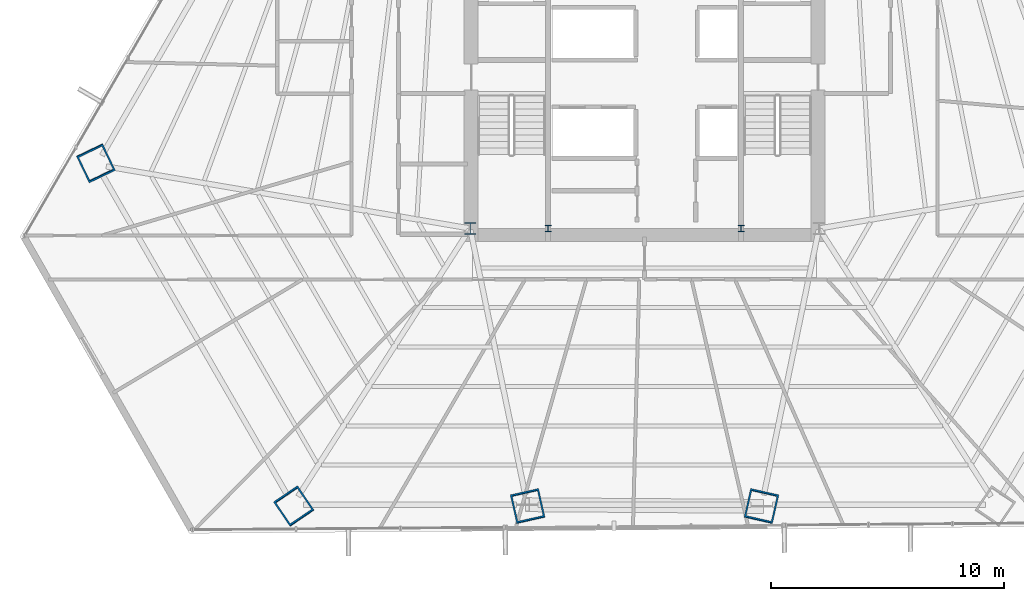
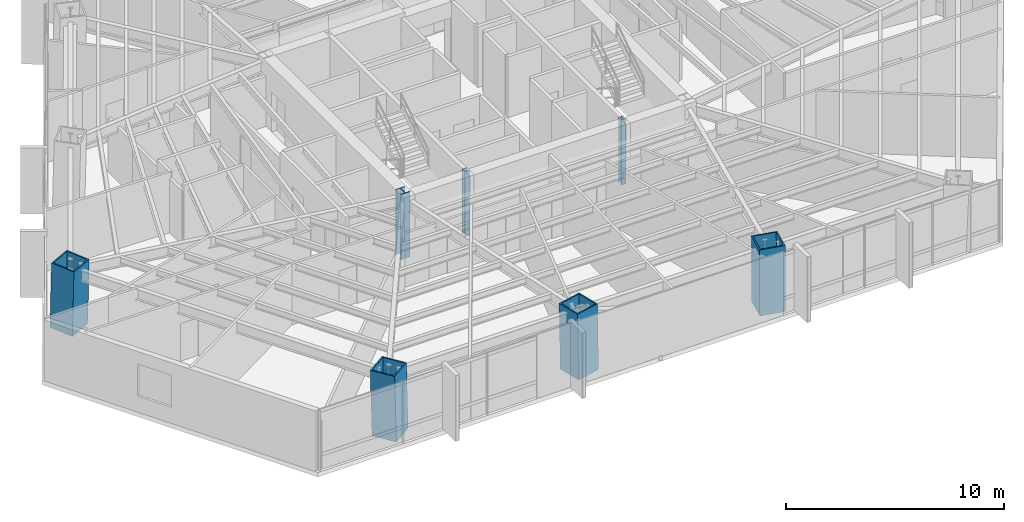
# One storey, part 1 of 36: 7 columns.
"""IFC4 building model written with IfcOpenShell, lengths in metres."""

from ifc_helpers import new_model, si_unit, direction, frame, origin, origin_2d, place, context, subcontext, project, spatial, hollow_rectangle, i_section, extrude, source, transform, mapped, material, material_profile, profile_set, type_object, type_shapes, element, save


model = new_model("IFC4")

# Units and contexts
model_context = context("Model", 3, precision=1e-05, world=origin(), true_north=direction((0.0, 1.0)))
body_context = subcontext(model_context, "Body", "Model", "MODEL_VIEW")
ifc_project = project(units=[si_unit("LENGTHUNIT", "METRE"), si_unit("AREAUNIT", "SQUARE_METRE"), si_unit("VOLUMEUNIT", "CUBIC_METRE"), si_unit("PLANEANGLEUNIT", "RADIAN"), si_unit("MASSUNIT", "GRAM", prefix="KILO")], contexts=[model_context])

# Site, building, storey
site_placement = place(None, origin())
site = spatial("IfcSite", under=ifc_project, at=site_placement, CompositionType="ELEMENT")
building_placement = place(site_placement, origin())
building = spatial("IfcBuilding", under=site, at=building_placement, Name="Caelisora Broadcast Tower", CompositionType="ELEMENT")
storey_placement = place(building_placement, frame((0.0, 0.0, 60.449951171875)))
storey = spatial("IfcBuildingStorey", under=building, at=storey_placement, Name="L15", CompositionType="ELEMENT", Elevation=60.449951171875)

# Columns
ifc_material_1 = material(Name="Steel Grade 350 L15 (AS/NZS 3678)", Category="steel")
ifc_material_profile_1 = material_profile(ifc_material_1, hollow_rectangle(XDim=1.25, YDim=1.25, WallThickness=0.070068359375, at=origin_2d()), Name="Steel Grade 350 L15 (AS/NZS 3678)")
ifc_profile_set_1 = profile_set([ifc_material_profile_1], Name="Steel Grade 350 L15 (AS/NZS 3678)")
column_type_1 = type_object("IfcColumnType", Name="MC02", PredefinedType="COLUMN", material=ifc_profile_set_1)
shared_shape_1 = source(origin(), body_context, "Body", "SweptSolid", [
    extrude(hollow_rectangle(XDim=1.25, YDim=1.25, WallThickness=0.070068359375, at=origin_2d()), origin(), (0.0, 0.0, 1.0), 3.65087890625),
])
for number, where, z_axis, x_axis, name in (
    (1, (32.97509765625, 5.45068359375, 0.0), (-0.004480382638, 0.019793929266, 0.999794042058), (-0.975326687046, -0.220766513622, 0.0), "L15 column MC02"),
    (2, (43.02490234375, 5.45068359375, 0.0), (0.004480382638, 0.019793929266, 0.999794042058), (-0.975326687046, 0.220766513622, 0.0), "L15 column MC02"),
):
    element("IfcColumn", number, at=place(storey_placement, frame(where, z_axis=z_axis, x_axis=x_axis)), inside=storey, type_object=column_type_1, Name=name, PredefinedType="COLUMN", context=body_context, shape_type="MappedRepresentation", body=[
        mapped(shared_shape_1, transform((0.0, 0.0, 0.0), scale=1.0)),
    ])
ifc_material_2 = material(Name="Steel Grade 350 (AS/NZS 3679.2)", Category="steel")
ifc_material_profile_2 = material_profile(ifc_material_2, i_section(OverallWidth=0.5, OverallDepth=0.5, WebThickness=0.028076171875, FlangeThickness=0.0400390625, at=origin_2d()), Name="Steel Grade 350 (AS/NZS 3679.2)")
ifc_profile_set_2 = profile_set([ifc_material_profile_2], Name="Steel Grade 350 (AS/NZS 3679.2)")
column_type_2 = type_object("IfcColumnType", Name="CC01", PredefinedType="COLUMN", material=ifc_profile_set_2)
shared_shape_2 = source(origin(), body_context, "Body", "SweptSolid", [
    extrude(i_section(OverallWidth=0.5, OverallDepth=0.5, WebThickness=0.028076171875, FlangeThickness=0.0400390625, at=origin_2d()), origin(), (0.0, 0.0, 1.0), 3.650146484375),
])
type_shapes(column_type_2, [shared_shape_2])
column_placement = place(storey_placement, frame((30.5, 17.39990234375, 0.0), z_axis=(0.0, 0.0, 1.0), x_axis=(1.0, 0.0, 0.0)))
element("IfcColumn", 3, at=column_placement, inside=storey, type_object=column_type_2, Name="L15 column CC01", PredefinedType="COLUMN", context=body_context, shape_type="MappedRepresentation", body=[
    mapped(shared_shape_2, transform((0.0, 0.0, 0.0), scale=1.0)),
])
shared_shape_3 = source(origin(), body_context, "Body", "SweptSolid", [
    extrude(hollow_rectangle(XDim=1.25, YDim=1.25, WallThickness=0.070068359375, at=origin_2d()), origin(), (0.0, 0.0, 1.0), 3.651123046875),
])
type_shapes(column_type_1, [shared_shape_1, shared_shape_3])
for number, where, z_axis, x_axis, name in (
    (4, (14.3984375, 20.219482421875, 0.0), (0.010364239282, -0.021530871282, 0.999714461297), (0.901042175273, 0.433731481886, 0.0), "L15 column MC02"),
    (5, (22.92529296875, 5.45068359375, 0.0), (-0.013440068782, 0.019792340097, 0.999713772949), (-0.827290216258, -0.561774775229, 0.0), "L15 column MC02"),
):
    element("IfcColumn", number, at=place(storey_placement, frame(where, z_axis=z_axis, x_axis=x_axis)), inside=storey, type_object=column_type_1, Name=name, PredefinedType="COLUMN", context=body_context, shape_type="MappedRepresentation", body=[
        mapped(shared_shape_3, transform((0.0, 0.0, 0.0), scale=1.0)),
    ])
ifc_material_3 = material(Name="Steel Grade 350 (AS/NZS 3679.1)", Category="steel")
ifc_material_profile_3 = material_profile(ifc_material_3, i_section(OverallWidth=0.256103515625, OverallDepth=0.260009765625, WebThickness=0.010498046875, FlangeThickness=0.017333984375, at=origin_2d()), Name="Steel Grade 350 (AS/NZS 3679.1)")
ifc_profile_set_3 = profile_set([ifc_material_profile_3], Name="Steel Grade 350 (AS/NZS 3679.1)")
column_type_3 = type_object("IfcColumnType", Name="CC05", PredefinedType="COLUMN", material=ifc_profile_set_3)
shared_shape_4 = source(origin(), body_context, "Body", "SweptSolid", [
    extrude(i_section(OverallWidth=0.256103515625, OverallDepth=0.260009765625, WebThickness=0.010498046875, FlangeThickness=0.017333984375, at=origin_2d()), origin(), (0.0, 0.0, 1.0), 3.650146484375),
])
type_shapes(column_type_3, [shared_shape_4])
for number, where, z_axis, x_axis, name in (
    (6, (33.85009765625, 17.39990234375, 0.0), (0.0, 0.0, 1.0), (1.0, 0.0, 0.0), "L15 column CC05"),
    (7, (42.14990234375, 17.39990234375, 0.0), (0.0, 0.0, 1.0), (1.0, 0.0, 0.0), "L15 column CC05"),
):
    element("IfcColumn", number, at=place(storey_placement, frame(where, z_axis=z_axis, x_axis=x_axis)), inside=storey, type_object=column_type_3, Name=name, PredefinedType="COLUMN", context=body_context, shape_type="MappedRepresentation", body=[
        mapped(shared_shape_4, transform((0.0, 0.0, 0.0), scale=1.0)),
    ])

save(model, "model.ifc")
